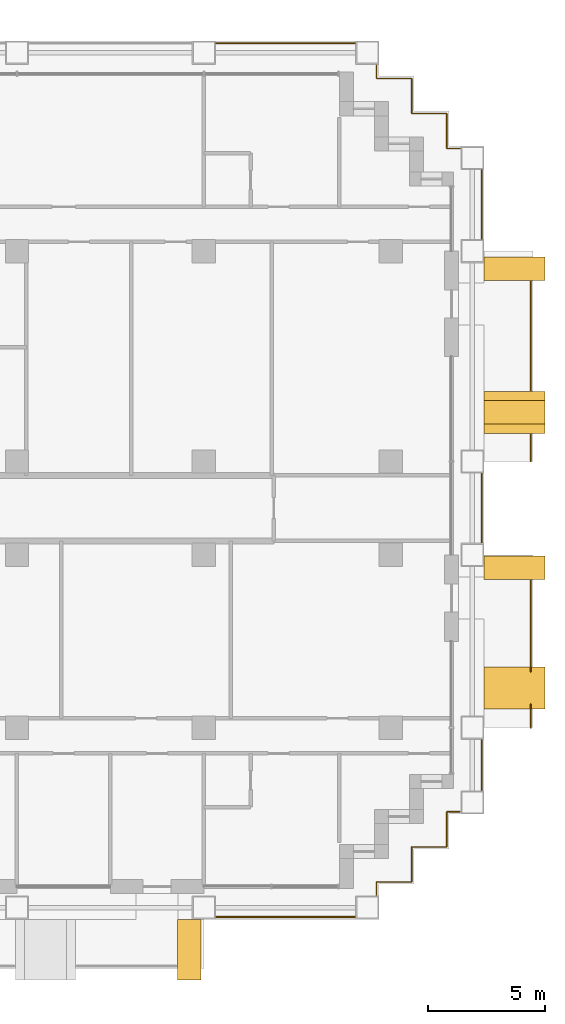
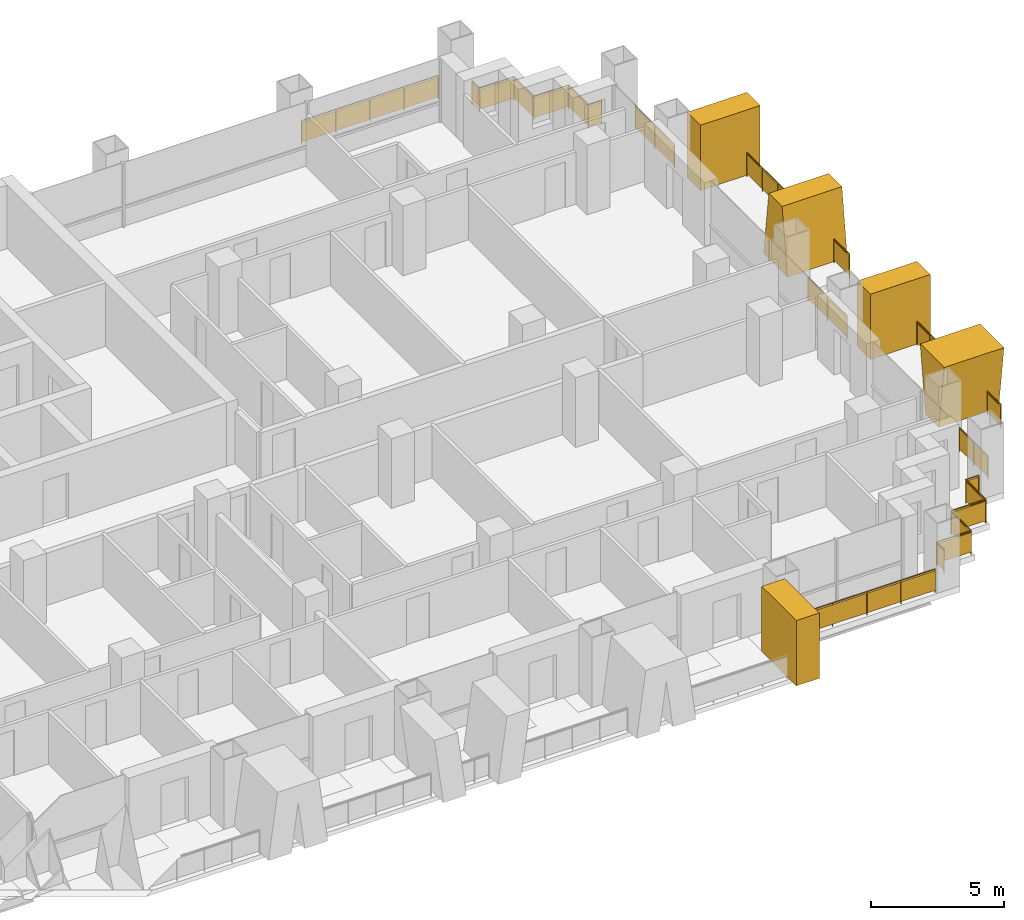
# One storey, part 18 of 18: 11 railings, 5 shading devices.
"""IFC4 building model written with IfcOpenShell, lengths in metres."""

from ifc_helpers import new_model, si_unit, direction, frame, origin, origin_2d, place, context, subcontext, project, spatial, polyline, rectangle, circle, outline, extrude, material, layer, layer_set, type_object, element, save


model = new_model("IFC4")

# Units and contexts
model_context = context("Model", 3, precision=1e-05, world=origin(), true_north=direction((0.0, 1.0)))
body_context = subcontext(model_context, "Body", "Model", "MODEL_VIEW")
ifc_project = project(units=[si_unit("LENGTHUNIT", "METRE"), si_unit("AREAUNIT", "SQUARE_METRE"), si_unit("VOLUMEUNIT", "CUBIC_METRE"), si_unit("PLANEANGLEUNIT", "RADIAN"), si_unit("MASSUNIT", "GRAM", prefix="KILO")], contexts=[model_context])

# Site, building, storey
site_placement = place(None, origin())
site = spatial("IfcSite", under=ifc_project, at=site_placement, CompositionType="ELEMENT")
building_placement = place(site_placement, origin())
building = spatial("IfcBuilding", under=site, at=building_placement, Name="Vidyagriha Tower", CompositionType="ELEMENT")
storey_placement = place(building_placement, frame((0.0, 0.0, 51.199951171875)))
storey = spatial("IfcBuildingStorey", under=building, at=storey_placement, Name="L13", CompositionType="ELEMENT", Elevation=51.199951171875)

# Railings
ifc_material_1 = material(Name="Steel ASTM A500 Grade C black painted", Category="steel")
railing_type_1 = type_object("IfcRailingType", Name="Balcony guard 1100", PredefinedType="BALUSTRADE", material=ifc_material_1)
railing_1_placement = place(storey_placement, frame((40.0, -9.39990234375, 0.0)))
element("IfcRailing", 1, at=railing_1_placement, inside=storey, type_object=railing_type_1, Name="Balcony guard L13 R30.1-1", PredefinedType="BALUSTRADE", context=body_context, shape_type="SweptSolid", body=[
    extrude(circle(Radius=0.02490234375, at=origin_2d()), frame((0.0, 0.0, 1.0751953125), z_axis=(0.0, 1.0, 0.0), x_axis=(-1.0, 0.0, 0.0)), (0.0, 0.0, 1.0), 0.99658203125),
    extrude(circle(Radius=0.02001953125, at=origin_2d()), origin(), (0.0, 0.0, 1.0), 1.050048828125),
    extrude(circle(Radius=0.02001953125, at=origin_2d()), frame((0.0, 0.99658203125, 0.0)), (0.0, 0.0, 1.0), 1.050048828125),
    extrude(rectangle(XDim=0.010009765625, YDim=0.900146484375, at=origin_2d()), frame((0.0, 0.0, 0.550048828125), z_axis=(0.0, 1.0, 0.0), x_axis=(-1.0, 0.0, 0.0)), (0.0, 0.0, 1.0), 0.99658203125),
])
railing_2_placement = place(storey_placement, frame((40.0, -6.99658203125, 0.0)))
element("IfcRailing", 2, at=railing_2_placement, inside=storey, type_object=railing_type_1, Name="Balcony guard L13 R30.1-2", PredefinedType="BALUSTRADE", context=body_context, shape_type="SweptSolid", body=[
    extrude(circle(Radius=0.02490234375, at=origin_2d()), frame((0.0, 0.0, 1.0751953125), z_axis=(0.0, 1.0, 0.0), x_axis=(-1.0, 0.0, 0.0)), (0.0, 0.0, 1.0), 3.896484375),
    extrude(circle(Radius=0.02001953125, at=origin_2d()), origin(), (0.0, 0.0, 1.0), 1.050048828125),
    extrude(circle(Radius=0.02001953125, at=origin_2d()), frame((0.0, 0.97412109375, 0.0)), (0.0, 0.0, 1.0), 1.050048828125),
    extrude(circle(Radius=0.02001953125, at=origin_2d()), frame((0.0, 1.9482421875, 0.0)), (0.0, 0.0, 1.0), 1.050048828125),
    extrude(circle(Radius=0.02001953125, at=origin_2d()), frame((0.0, 2.92236328125, 0.0)), (0.0, 0.0, 1.0), 1.050048828125),
    extrude(circle(Radius=0.02001953125, at=origin_2d()), frame((0.0, 3.896484375, 0.0)), (0.0, 0.0, 1.0), 1.050048828125),
    extrude(rectangle(XDim=0.010009765625, YDim=0.900146484375, at=origin_2d()), frame((0.0, 0.0, 0.550048828125), z_axis=(0.0, 1.0, 0.0), x_axis=(-1.0, 0.0, 0.0)), (0.0, 0.0, 1.0), 3.896484375),
])
railing_3_placement = place(storey_placement, frame((40.0, 2.0, 0.0)))
element("IfcRailing", 3, at=railing_3_placement, inside=storey, type_object=railing_type_1, Name="Balcony guard L13 R30.2-1", PredefinedType="BALUSTRADE", context=body_context, shape_type="SweptSolid", body=[
    extrude(circle(Radius=0.02490234375, at=origin_2d()), frame((0.0, 0.0, 1.0751953125), z_axis=(0.0, 1.0, 0.0), x_axis=(-1.0, 0.0, 0.0)), (0.0, 0.0, 1.0), 1.14990234375),
    extrude(circle(Radius=0.02001953125, at=origin_2d()), origin(), (0.0, 0.0, 1.0), 1.050048828125),
    extrude(circle(Radius=0.02001953125, at=origin_2d()), frame((0.0, 1.14990234375, 0.0)), (0.0, 0.0, 1.0), 1.050048828125),
    extrude(rectangle(XDim=0.010009765625, YDim=0.900146484375, at=origin_2d()), frame((0.0, 0.0, 0.550048828125), z_axis=(0.0, 1.0, 0.0), x_axis=(-1.0, 0.0, 0.0)), (0.0, 0.0, 1.0), 1.14990234375),
])
railing_4_placement = place(storey_placement, frame((40.0, 5.050048828125, 0.0)))
element("IfcRailing", 4, at=railing_4_placement, inside=storey, type_object=railing_type_1, Name="Balcony guard L13 R30.2-2", PredefinedType="BALUSTRADE", context=body_context, shape_type="SweptSolid", body=[
    extrude(circle(Radius=0.02490234375, at=origin_2d()), frame((0.0, 0.0, 1.0751953125), z_axis=(0.0, 1.0, 0.0), x_axis=(-1.0, 0.0, 0.0)), (0.0, 0.0, 1.0), 4.64990234375),
    extrude(circle(Radius=0.02001953125, at=origin_2d()), origin(), (0.0, 0.0, 1.0), 1.050048828125),
    extrude(circle(Radius=0.02001953125, at=origin_2d()), frame((0.0, 1.16259765625, 0.0)), (0.0, 0.0, 1.0), 1.050048828125),
    extrude(circle(Radius=0.02001953125, at=origin_2d()), frame((0.0, 2.324951171875, 0.0)), (0.0, 0.0, 1.0), 1.050048828125),
    extrude(circle(Radius=0.02001953125, at=origin_2d()), frame((0.0, 3.4873046875, 0.0)), (0.0, 0.0, 1.0), 1.050048828125),
    extrude(circle(Radius=0.02001953125, at=origin_2d()), frame((0.0, 4.64990234375, 0.0)), (0.0, 0.0, 1.0), 1.050048828125),
    extrude(rectangle(XDim=0.010009765625, YDim=0.900146484375, at=origin_2d()), frame((0.0, 0.0, 0.550048828125), z_axis=(0.0, 1.0, 0.0), x_axis=(-1.0, 0.0, 0.0)), (0.0, 0.0, 1.0), 4.64990234375),
])

# Shading devices
ifc_material_2 = material(Name="Precast concrete C40/50 with buff brick facing", Category="concrete")
ifc_layer_1 = layer(ifc_material_2, 1.0)
ifc_layer_set_1 = layer_set([ifc_layer_1], Name="Precast concrete C40/50 with buff brick facing")
shading_device_type_1 = type_object("IfcShadingDeviceType", Name="Brick-faced blade fin forking 8 degrees", PredefinedType="USERDEFINED", material=ifc_layer_set_1)
shading_device_1_placement = place(storey_placement, frame((39.300048828125, -8.60009765625, 0.0), z_axis=(0.0, 0.0, 1.0), x_axis=(0.0, 1.0, 0.0)))
element("IfcShadingDevice", 5, at=shading_device_1_placement, inside=storey, type_object=shading_device_type_1, Name="Forked blade fin L13 R30.200a", ObjectType="BLADE FIN", PredefinedType="USERDEFINED", context=body_context, shape_type="SweptSolid", body=[
    extrude(outline(polyline([(0.39990234375, 0.0), (1.39990234375, 0.0), (1.800048828125, 3.0), (0.0, 3.0), (0.39990234375, 0.0)])), frame((0.0, 1.300048828125, 0.0), z_axis=(0.0, -1.0, 0.0), x_axis=(1.0, 0.0, 0.0)), (0.0, 0.0, 1.0), 2.60009765625),
])
shading_device_2_placement = place(storey_placement, frame((39.300048828125, 3.199951171875, 0.0), z_axis=(0.0, 0.0, 1.0), x_axis=(0.0, 1.0, 0.0)))
element("IfcShadingDevice", 6, at=shading_device_2_placement, inside=storey, type_object=shading_device_type_1, Name="Forked blade fin L13 R30.1340a", ObjectType="BLADE FIN", PredefinedType="USERDEFINED", context=body_context, shape_type="SweptSolid", body=[
    extrude(outline(polyline([(0.0, 0.0), (1.800048828125, 0.0), (1.39990234375, 3.0), (0.39990234375, 3.0), (0.0, 0.0)])), frame((0.0, 1.300048828125, 0.0), z_axis=(0.0, -1.0, 0.0), x_axis=(1.0, 0.0, 0.0)), (0.0, 0.0, 1.0), 2.60009765625),
])
ifc_material_3 = material(Name="Precast concrete C40/50 with buff brick facing", Category="concrete")
ifc_layer_2 = layer(ifc_material_3, 1.0)
ifc_layer_set_2 = layer_set([ifc_layer_2], Name="Precast concrete C40/50 with buff brick facing")
shading_device_type_2 = type_object("IfcShadingDeviceType", Name="Brick-faced blade fin stem 1000", PredefinedType="USERDEFINED", material=ifc_layer_set_2)
shading_device_3_placement = place(storey_placement, frame((24.875, -18.89990234375, 0.0)))
element("IfcShadingDevice", 7, at=shading_device_3_placement, inside=storey, type_object=shading_device_type_2, Name="Stem blade fin L13 R23.5780a", ObjectType="BLADE FIN", PredefinedType="USERDEFINED", context=body_context, shape_type="SweptSolid", body=[
    extrude(outline(polyline([(0.0, 0.0), (1.0, 0.0), (1.0, 3.0), (0.0, 3.0), (0.0, 0.0)])), frame((0.0, 1.300048828125, 0.0), z_axis=(0.0, -1.0, 0.0), x_axis=(1.0, 0.0, 0.0)), (0.0, 0.0, 1.0), 2.60009765625),
])
for number, where, z_axis, x_axis, name in (
    (8, (39.300048828125, -3.050048828125, 0.0), (0.0, 0.0, 1.0), (0.0, 1.0, 0.0), "Stem blade fin L13 R30.940a"),
    (9, (39.300048828125, 9.75, 0.0), (0.0, 0.0, 1.0), (0.0, 1.0, 0.0), "Stem blade fin L13 R30.2240a"),
):
    element("IfcShadingDevice", number, at=place(storey_placement, frame(where, z_axis=z_axis, x_axis=x_axis)), inside=storey, type_object=shading_device_type_2, Name=name, ObjectType="BLADE FIN", PredefinedType="USERDEFINED", context=body_context, shape_type="SweptSolid", body=[
        extrude(outline(polyline([(0.0, 0.0), (1.0, 0.0), (1.0, 3.0), (0.0, 3.0), (0.0, 0.0)])), frame((0.0, 1.300048828125, 0.0), z_axis=(0.0, -1.0, 0.0), x_axis=(1.0, 0.0, 0.0)), (0.0, 0.0, 1.0), 2.60009765625),
    ])

# Railings
ifc_material_4 = material(Name="Steel ASTM A500 Grade C black painted", Category="steel")
railing_type_2 = type_object("IfcRailingType", Name="Gallery guard 1100", PredefinedType="GUARDRAIL", material=ifc_material_4)
railing_5_placement = place(storey_placement, frame((32.469970703125, -17.5, 0.0)))
element("IfcRailing", 10, at=railing_5_placement, inside=storey, type_object=railing_type_2, Name="Gallery guard L13 12", PredefinedType="GUARDRAIL", context=body_context, shape_type="SweptSolid", body=[
    extrude(circle(Radius=0.02490234375, at=origin_2d()), frame((0.0, 0.0, 1.0751953125), z_axis=(-1.0, 0.0, 0.0), x_axis=(0.0, -1.0, 0.0)), (0.0, 0.0, 1.0), 5.93994140625),
    extrude(circle(Radius=0.02001953125, at=origin_2d()), origin(), (0.0, 0.0, 1.0), 1.050048828125),
    extrude(circle(Radius=0.02001953125, at=origin_2d()), frame((-1.48486328125, 0.0, 0.0)), (0.0, 0.0, 1.0), 1.050048828125),
    extrude(circle(Radius=0.02001953125, at=origin_2d()), frame((-2.969970703125, 0.0, 0.0)), (0.0, 0.0, 1.0), 1.050048828125),
    extrude(circle(Radius=0.02001953125, at=origin_2d()), frame((-4.455078125, 0.0, 0.0)), (0.0, 0.0, 1.0), 1.050048828125),
    extrude(circle(Radius=0.02001953125, at=origin_2d()), frame((-5.93994140625, 0.0, 0.0)), (0.0, 0.0, 1.0), 1.050048828125),
    extrude(rectangle(XDim=0.010009765625, YDim=0.900146484375, at=origin_2d()), frame((0.0, 0.0, 0.550048828125), z_axis=(-1.0, 0.0, 0.0), x_axis=(0.0, -1.0, 0.0)), (0.0, 0.0, 1.0), 5.93994140625),
])
railing_6_placement = place(storey_placement, frame((26.530029296875, 19.89990234375, 0.0)))
element("IfcRailing", 11, at=railing_6_placement, inside=storey, type_object=railing_type_2, Name="Gallery guard L13 13", PredefinedType="GUARDRAIL", context=body_context, shape_type="SweptSolid", body=[
    extrude(circle(Radius=0.02490234375, at=origin_2d()), frame((0.0, 0.0, 1.0751953125), z_axis=(1.0, 0.0, 0.0), x_axis=(0.0, 1.0, 0.0)), (0.0, 0.0, 1.0), 5.93994140625),
    extrude(circle(Radius=0.02001953125, at=origin_2d()), origin(), (0.0, 0.0, 1.0), 1.050048828125),
    extrude(circle(Radius=0.02001953125, at=origin_2d()), frame((1.48486328125, 0.0, 0.0)), (0.0, 0.0, 1.0), 1.050048828125),
    extrude(circle(Radius=0.02001953125, at=origin_2d()), frame((2.969970703125, 0.0, 0.0)), (0.0, 0.0, 1.0), 1.050048828125),
    extrude(circle(Radius=0.02001953125, at=origin_2d()), frame((4.455078125, 0.0, 0.0)), (0.0, 0.0, 1.0), 1.050048828125),
    extrude(circle(Radius=0.02001953125, at=origin_2d()), frame((5.93994140625, 0.0, 0.0)), (0.0, 0.0, 1.0), 1.050048828125),
    extrude(rectangle(XDim=0.010009765625, YDim=0.900146484375, at=origin_2d()), frame((0.0, 0.0, 0.550048828125), z_axis=(1.0, 0.0, 0.0), x_axis=(0.0, 1.0, 0.0)), (0.0, 0.0, 1.0), 5.93994140625),
])
railing_7_placement = place(storey_placement, frame((36.969970703125, -13.0, 0.0)))
element("IfcRailing", 12, at=railing_7_placement, inside=storey, type_object=railing_type_2, Name="Gallery guard L13 14", PredefinedType="GUARDRAIL", context=body_context, shape_type="SweptSolid", body=[
    extrude(circle(Radius=0.02490234375, at=origin_2d()), frame((0.0, 0.0, 1.0751953125), z_axis=(-1.0, 0.0, 0.0), x_axis=(0.0, -1.0, 0.0)), (0.0, 0.0, 1.0), 0.570068359375),
    extrude(circle(Radius=0.02490234375, at=origin_2d()), frame((-0.570068359375, 0.0, 1.0751953125), z_axis=(0.0, -1.0, 0.0), x_axis=(1.0, 0.0, 0.0)), (0.0, 0.0, 1.0), 1.5),
    extrude(circle(Radius=0.02490234375, at=origin_2d()), frame((-0.570068359375, -1.5, 1.0751953125), z_axis=(-1.0, 0.0, 0.0), x_axis=(0.0, -1.0, 0.0)), (0.0, 0.0, 1.0), 1.5),
    extrude(circle(Radius=0.02490234375, at=origin_2d()), frame((-2.070068359375, -1.5, 1.0751953125), z_axis=(0.0, -1.0, 0.0), x_axis=(1.0, 0.0, 0.0)), (0.0, 0.0, 1.0), 1.5),
    extrude(circle(Radius=0.02490234375, at=origin_2d()), frame((-2.070068359375, -3.0, 1.0751953125), z_axis=(-1.0, 0.0, 0.0), x_axis=(0.0, -1.0, 0.0)), (0.0, 0.0, 1.0), 1.5),
    extrude(circle(Radius=0.02490234375, at=origin_2d()), frame((-3.570068359375, -3.0, 1.0751953125), z_axis=(0.0, -1.0, 0.0), x_axis=(1.0, 0.0, 0.0)), (0.0, 0.0, 1.0), 0.570068359375),
    extrude(circle(Radius=0.02001953125, at=origin_2d()), origin(), (0.0, 0.0, 1.0), 1.050048828125),
    extrude(circle(Radius=0.02001953125, at=origin_2d()), frame((-0.570068359375, 0.0, 0.0)), (0.0, 0.0, 1.0), 1.050048828125),
    extrude(circle(Radius=0.02001953125, at=origin_2d()), frame((-0.570068359375, -1.5, 0.0)), (0.0, 0.0, 1.0), 1.050048828125),
    extrude(circle(Radius=0.02001953125, at=origin_2d()), frame((-2.070068359375, -1.5, 0.0)), (0.0, 0.0, 1.0), 1.050048828125),
    extrude(circle(Radius=0.02001953125, at=origin_2d()), frame((-2.070068359375, -3.0, 0.0)), (0.0, 0.0, 1.0), 1.050048828125),
    extrude(circle(Radius=0.02001953125, at=origin_2d()), frame((-3.570068359375, -3.0, 0.0)), (0.0, 0.0, 1.0), 1.050048828125),
    extrude(circle(Radius=0.02001953125, at=origin_2d()), frame((-3.570068359375, -3.570068359375, 0.0)), (0.0, 0.0, 1.0), 1.050048828125),
    extrude(rectangle(XDim=0.010009765625, YDim=0.900146484375, at=origin_2d()), frame((0.0, 0.0, 0.550048828125), z_axis=(-1.0, 0.0, 0.0), x_axis=(0.0, -1.0, 0.0)), (0.0, 0.0, 1.0), 0.570068359375),
    extrude(rectangle(XDim=0.010009765625, YDim=0.900146484375, at=origin_2d()), frame((-0.570068359375, 0.0, 0.550048828125), z_axis=(0.0, -1.0, 0.0), x_axis=(1.0, 0.0, 0.0)), (0.0, 0.0, 1.0), 1.5),
    extrude(rectangle(XDim=0.010009765625, YDim=0.900146484375, at=origin_2d()), frame((-0.570068359375, -1.5, 0.550048828125), z_axis=(-1.0, 0.0, 0.0), x_axis=(0.0, -1.0, 0.0)), (0.0, 0.0, 1.0), 1.5),
    extrude(rectangle(XDim=0.010009765625, YDim=0.900146484375, at=origin_2d()), frame((-2.070068359375, -1.5, 0.550048828125), z_axis=(0.0, -1.0, 0.0), x_axis=(1.0, 0.0, 0.0)), (0.0, 0.0, 1.0), 1.5),
    extrude(rectangle(XDim=0.010009765625, YDim=0.900146484375, at=origin_2d()), frame((-2.070068359375, -3.0, 0.550048828125), z_axis=(-1.0, 0.0, 0.0), x_axis=(0.0, -1.0, 0.0)), (0.0, 0.0, 1.0), 1.5),
    extrude(rectangle(XDim=0.010009765625, YDim=0.900146484375, at=origin_2d()), frame((-3.570068359375, -3.0, 0.550048828125), z_axis=(0.0, -1.0, 0.0), x_axis=(1.0, 0.0, 0.0)), (0.0, 0.0, 1.0), 0.570068359375),
])
railing_8_placement = place(storey_placement, frame((33.39990234375, 18.969970703125, 0.0)))
element("IfcRailing", 13, at=railing_8_placement, inside=storey, type_object=railing_type_2, Name="Gallery guard L13 15", PredefinedType="GUARDRAIL", context=body_context, shape_type="SweptSolid", body=[
    extrude(circle(Radius=0.02490234375, at=origin_2d()), frame((0.0, 0.0, 1.0751953125), z_axis=(0.0, -1.0, 0.0), x_axis=(1.0, 0.0, 0.0)), (0.0, 0.0, 1.0), 0.570068359375),
    extrude(circle(Radius=0.02490234375, at=origin_2d()), frame((0.0, -0.570068359375, 1.0751953125), z_axis=(1.0, 0.0, 0.0), x_axis=(0.0, 1.0, 0.0)), (0.0, 0.0, 1.0), 1.5),
    extrude(circle(Radius=0.02490234375, at=origin_2d()), frame((1.5, -0.570068359375, 1.0751953125), z_axis=(0.0, -1.0, 0.0), x_axis=(1.0, 0.0, 0.0)), (0.0, 0.0, 1.0), 1.5),
    extrude(circle(Radius=0.02490234375, at=origin_2d()), frame((1.5, -2.070068359375, 1.0751953125), z_axis=(1.0, 0.0, 0.0), x_axis=(0.0, 1.0, 0.0)), (0.0, 0.0, 1.0), 1.5),
    extrude(circle(Radius=0.02490234375, at=origin_2d()), frame((3.0, -2.070068359375, 1.0751953125), z_axis=(0.0, -1.0, 0.0), x_axis=(1.0, 0.0, 0.0)), (0.0, 0.0, 1.0), 1.5),
    extrude(circle(Radius=0.02490234375, at=origin_2d()), frame((3.0, -3.570068359375, 1.0751953125), z_axis=(1.0, 0.0, 0.0), x_axis=(0.0, 1.0, 0.0)), (0.0, 0.0, 1.0), 0.570068359375),
    extrude(circle(Radius=0.02001953125, at=origin_2d()), origin(), (0.0, 0.0, 1.0), 1.050048828125),
    extrude(circle(Radius=0.02001953125, at=origin_2d()), frame((0.0, -0.570068359375, 0.0)), (0.0, 0.0, 1.0), 1.050048828125),
    extrude(circle(Radius=0.02001953125, at=origin_2d()), frame((1.5, -0.570068359375, 0.0)), (0.0, 0.0, 1.0), 1.050048828125),
    extrude(circle(Radius=0.02001953125, at=origin_2d()), frame((1.5, -2.070068359375, 0.0)), (0.0, 0.0, 1.0), 1.050048828125),
    extrude(circle(Radius=0.02001953125, at=origin_2d()), frame((3.0, -2.070068359375, 0.0)), (0.0, 0.0, 1.0), 1.050048828125),
    extrude(circle(Radius=0.02001953125, at=origin_2d()), frame((3.0, -3.570068359375, 0.0)), (0.0, 0.0, 1.0), 1.050048828125),
    extrude(circle(Radius=0.02001953125, at=origin_2d()), frame((3.570068359375, -3.570068359375, 0.0)), (0.0, 0.0, 1.0), 1.050048828125),
    extrude(rectangle(XDim=0.010009765625, YDim=0.900146484375, at=origin_2d()), frame((0.0, 0.0, 0.550048828125), z_axis=(0.0, -1.0, 0.0), x_axis=(1.0, 0.0, 0.0)), (0.0, 0.0, 1.0), 0.570068359375),
    extrude(rectangle(XDim=0.010009765625, YDim=0.900146484375, at=origin_2d()), frame((0.0, -0.570068359375, 0.550048828125), z_axis=(1.0, 0.0, 0.0), x_axis=(0.0, 1.0, 0.0)), (0.0, 0.0, 1.0), 1.5),
    extrude(rectangle(XDim=0.010009765625, YDim=0.900146484375, at=origin_2d()), frame((1.5, -0.570068359375, 0.550048828125), z_axis=(0.0, -1.0, 0.0), x_axis=(1.0, 0.0, 0.0)), (0.0, 0.0, 1.0), 1.5),
    extrude(rectangle(XDim=0.010009765625, YDim=0.900146484375, at=origin_2d()), frame((1.5, -2.070068359375, 0.550048828125), z_axis=(1.0, 0.0, 0.0), x_axis=(0.0, 1.0, 0.0)), (0.0, 0.0, 1.0), 1.5),
    extrude(rectangle(XDim=0.010009765625, YDim=0.900146484375, at=origin_2d()), frame((3.0, -2.070068359375, 0.550048828125), z_axis=(0.0, -1.0, 0.0), x_axis=(1.0, 0.0, 0.0)), (0.0, 0.0, 1.0), 1.5),
    extrude(rectangle(XDim=0.010009765625, YDim=0.900146484375, at=origin_2d()), frame((3.0, -3.570068359375, 0.550048828125), z_axis=(1.0, 0.0, 0.0), x_axis=(0.0, 1.0, 0.0)), (0.0, 0.0, 1.0), 0.570068359375),
])
railing_9_placement = place(storey_placement, frame((37.89990234375, -9.929931640625, 0.0)))
element("IfcRailing", 14, at=railing_9_placement, inside=storey, type_object=railing_type_2, Name="Gallery guard L13 16", PredefinedType="GUARDRAIL", context=body_context, shape_type="SweptSolid", body=[
    extrude(circle(Radius=0.02490234375, at=origin_2d()), frame((0.0, 0.0, 1.0751953125), z_axis=(0.0, -1.0, 0.0), x_axis=(1.0, 0.0, 0.0)), (0.0, 0.0, 1.0), 2.14013671875),
    extrude(circle(Radius=0.02001953125, at=origin_2d()), origin(), (0.0, 0.0, 1.0), 1.050048828125),
    extrude(circle(Radius=0.02001953125, at=origin_2d()), frame((0.0, -1.070068359375, 0.0)), (0.0, 0.0, 1.0), 1.050048828125),
    extrude(circle(Radius=0.02001953125, at=origin_2d()), frame((0.0, -2.14013671875, 0.0)), (0.0, 0.0, 1.0), 1.050048828125),
    extrude(rectangle(XDim=0.010009765625, YDim=0.900146484375, at=origin_2d()), frame((0.0, 0.0, 0.550048828125), z_axis=(0.0, -1.0, 0.0), x_axis=(1.0, 0.0, 0.0)), (0.0, 0.0, 1.0), 2.14013671875),
])
for number, where, name in (
    (15, (37.89990234375, 1.469970703125, 0.0), "Gallery guard L13 17"),
    (16, (37.89990234375, 14.469970703125, 0.0), "Gallery guard L13 18"),
):
    element("IfcRailing", number, at=place(storey_placement, frame(where)), inside=storey, type_object=railing_type_2, Name=name, PredefinedType="GUARDRAIL", context=body_context, shape_type="SweptSolid", body=[
        extrude(circle(Radius=0.02490234375, at=origin_2d()), frame((0.0, 0.0, 1.0751953125), z_axis=(0.0, -1.0, 0.0), x_axis=(1.0, 0.0, 0.0)), (0.0, 0.0, 1.0), 2.93994140625),
        extrude(circle(Radius=0.02001953125, at=origin_2d()), origin(), (0.0, 0.0, 1.0), 1.050048828125),
        extrude(circle(Radius=0.02001953125, at=origin_2d()), frame((0.0, -1.469970703125, 0.0)), (0.0, 0.0, 1.0), 1.050048828125),
        extrude(circle(Radius=0.02001953125, at=origin_2d()), frame((0.0, -2.93994140625, 0.0)), (0.0, 0.0, 1.0), 1.050048828125),
        extrude(rectangle(XDim=0.010009765625, YDim=0.900146484375, at=origin_2d()), frame((0.0, 0.0, 0.550048828125), z_axis=(0.0, -1.0, 0.0), x_axis=(1.0, 0.0, 0.0)), (0.0, 0.0, 1.0), 2.93994140625),
    ])

save(model, "model.ifc")
